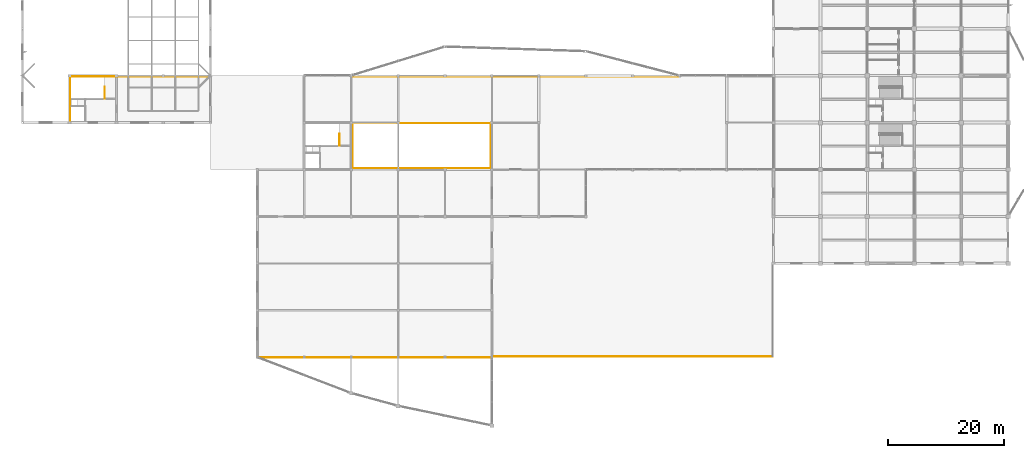
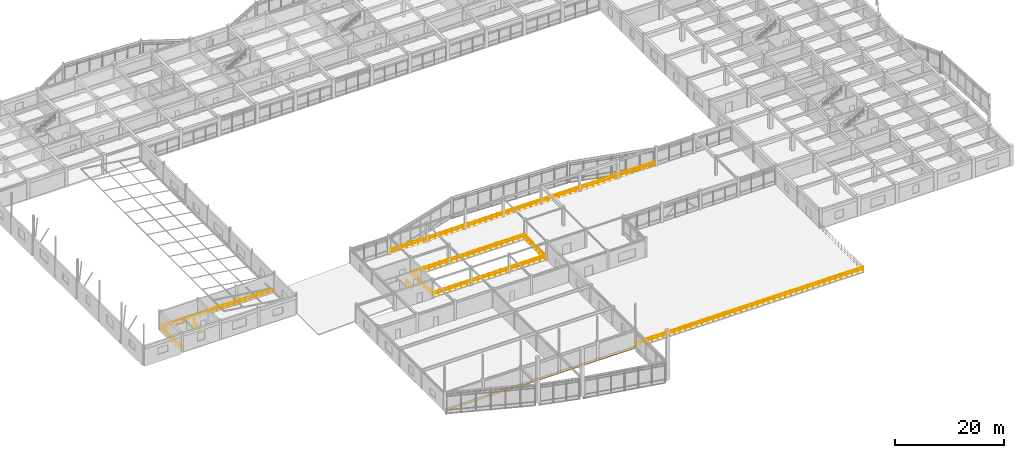
# One storey, part 82 of 89: 8 railings, 2 coverings.
"""IFC4 building model written with IfcOpenShell, lengths in metres."""

from ifc_helpers import new_model, si_unit, direction, frame, origin, origin_2d, place, context, subcontext, project, spatial, rectangle, circle, extrude, material, layer, layer_set, type_object, element, save


model = new_model("IFC4")

# Units and contexts
model_context = context("Model", 3, precision=1e-05, world=origin(), true_north=direction((0.0, 1.0)))
body_context = subcontext(model_context, "Body", "Model", "MODEL_VIEW")
ifc_project = project(units=[si_unit("LENGTHUNIT", "METRE"), si_unit("AREAUNIT", "SQUARE_METRE"), si_unit("VOLUMEUNIT", "CUBIC_METRE"), si_unit("PLANEANGLEUNIT", "RADIAN"), si_unit("MASSUNIT", "GRAM", prefix="KILO")], contexts=[model_context])

# Site, building, storey
site_placement = place(None, origin())
site = spatial("IfcSite", under=ifc_project, at=site_placement, CompositionType="ELEMENT")
building_placement = place(site_placement, origin())
building = spatial("IfcBuilding", under=site, at=building_placement, Name="Vaudrelin Polytechnic", CompositionType="ELEMENT")
storey_placement = place(building_placement, frame((0.0, 0.0, 9.68994140625)))
storey = spatial("IfcBuildingStorey", under=building, at=storey_placement, Name="L02", CompositionType="ELEMENT", Elevation=9.68994140625)

# Coverings
ifc_material_1 = material(Name="Pre-weathered quartz-zinc standing seam", Category="metal")
ifc_layer = layer(ifc_material_1, 0.044921875)
ifc_layer_set = layer_set([ifc_layer], Name="Pre-weathered quartz-zinc standing seam")
covering_type = type_object("IfcCoveringType", Name="ENV-CLD-ZNC", PredefinedType="CLADDING", material=ifc_layer_set)
covering_1_placement = place(storey_placement, frame((48.64990234375, -0.02001953125, -0.125), z_axis=(0.0, 0.0, 1.0), x_axis=(1.0, 0.0, 0.0)))
element("IfcCovering", 1, at=covering_1_placement, inside=storey, type_object=covering_type, Name="Standing-seam zinc fascia cladding CLD-03", PredefinedType="CLADDING", context=body_context, shape_type="SweptSolid", body=[
    extrude(rectangle(XDim=16.10009765625, YDim=0.044921875, at=origin_2d()), origin(), (0.0, 0.0, 1.0), 0.550048828125),
])
covering_2_placement = place(storey_placement, frame((68.85009765625, -0.02001953125, -0.125), z_axis=(0.0, 0.0, 1.0), x_axis=(1.0, 0.0, 0.0)))
element("IfcCovering", 2, at=covering_2_placement, inside=storey, type_object=covering_type, Name="Standing-seam zinc fascia cladding CLD-04", PredefinedType="CLADDING", context=body_context, shape_type="SweptSolid", body=[
    extrude(rectangle(XDim=24.300048828125, YDim=0.044921875, at=origin_2d()), origin(), (0.0, 0.0, 1.0), 0.550048828125),
])

# Railings
ifc_material_2 = material(Name="Stainless steel AISI 316L", Category="steel")
railing_type_1 = type_object("IfcRailingType", Name="ENV-GR-TER", PredefinedType="GUARDRAIL", material=ifc_material_2)
railing_1_placement = place(storey_placement, frame((81.1201171875, 0.1201171875, 0.0)))
element("IfcRailing", 3, at=railing_1_placement, inside=storey, type_object=railing_type_1, Name="Terrace guardrail GRD-RG-S", PredefinedType="GUARDRAIL", context=body_context, shape_type="SweptSolid", body=[
    extrude(circle(Radius=0.02392578125, at=origin_2d()), frame((0.023193359375, 0.0, 1.09619140625), z_axis=(1.0, 0.0, 0.0), x_axis=(0.0, 1.0, 0.0)), (0.0, 0.0, 1.0), 48.313720703125),
    extrude(circle(Radius=0.02392578125, at=origin_2d()), frame((0.023193359375, 0.0, 0.56005859375), z_axis=(1.0, 0.0, 0.0), x_axis=(0.0, 1.0, 0.0)), (0.0, 0.0, 1.0), 48.313720703125),
    extrude(circle(Radius=0.02099609375, at=origin_2d()), origin(), (0.0, 0.0, 1.0), 1.1201171875),
    extrude(circle(Radius=0.02099609375, at=origin_2d()), frame((1.179443359375, 0.0, 0.0)), (0.0, 0.0, 1.0), 1.1201171875),
    extrude(circle(Radius=0.02099609375, at=origin_2d()), frame((2.359130859375, 0.0, 0.0)), (0.0, 0.0, 1.0), 1.1201171875),
    extrude(circle(Radius=0.02099609375, at=origin_2d()), frame((3.53857421875, 0.0, 0.0)), (0.0, 0.0, 1.0), 1.1201171875),
    extrude(circle(Radius=0.02099609375, at=origin_2d()), frame((4.718017578125, 0.0, 0.0)), (0.0, 0.0, 1.0), 1.1201171875),
    extrude(circle(Radius=0.02099609375, at=origin_2d()), frame((5.8974609375, 0.0, 0.0)), (0.0, 0.0, 1.0), 1.1201171875),
    extrude(circle(Radius=0.02099609375, at=origin_2d()), frame((7.0771484375, 0.0, 0.0)), (0.0, 0.0, 1.0), 1.1201171875),
    extrude(circle(Radius=0.02099609375, at=origin_2d()), frame((8.256591796875, 0.0, 0.0)), (0.0, 0.0, 1.0), 1.1201171875),
    extrude(circle(Radius=0.02099609375, at=origin_2d()), frame((9.43603515625, 0.0, 0.0)), (0.0, 0.0, 1.0), 1.1201171875),
    extrude(circle(Radius=0.02099609375, at=origin_2d()), frame((10.615478515625, 0.0, 0.0)), (0.0, 0.0, 1.0), 1.1201171875),
    extrude(circle(Radius=0.02099609375, at=origin_2d()), frame((11.795166015625, 0.0, 0.0)), (0.0, 0.0, 1.0), 1.1201171875),
    extrude(circle(Radius=0.02099609375, at=origin_2d()), frame((12.974609375, 0.0, 0.0)), (0.0, 0.0, 1.0), 1.1201171875),
    extrude(circle(Radius=0.02099609375, at=origin_2d()), frame((14.154052734375, 0.0, 0.0)), (0.0, 0.0, 1.0), 1.1201171875),
    extrude(circle(Radius=0.02099609375, at=origin_2d()), frame((15.33349609375, 0.0, 0.0)), (0.0, 0.0, 1.0), 1.1201171875),
    extrude(circle(Radius=0.02099609375, at=origin_2d()), frame((16.51318359375, 0.0, 0.0)), (0.0, 0.0, 1.0), 1.1201171875),
    extrude(circle(Radius=0.02099609375, at=origin_2d()), frame((17.692626953125, 0.0, 0.0)), (0.0, 0.0, 1.0), 1.1201171875),
    extrude(circle(Radius=0.02099609375, at=origin_2d()), frame((18.8720703125, 0.0, 0.0)), (0.0, 0.0, 1.0), 1.1201171875),
    extrude(circle(Radius=0.02099609375, at=origin_2d()), frame((20.0517578125, 0.0, 0.0)), (0.0, 0.0, 1.0), 1.1201171875),
    extrude(circle(Radius=0.02099609375, at=origin_2d()), frame((21.231201171875, 0.0, 0.0)), (0.0, 0.0, 1.0), 1.1201171875),
    extrude(circle(Radius=0.02099609375, at=origin_2d()), frame((22.41064453125, 0.0, 0.0)), (0.0, 0.0, 1.0), 1.1201171875),
    extrude(circle(Radius=0.02099609375, at=origin_2d()), frame((23.590087890625, 0.0, 0.0)), (0.0, 0.0, 1.0), 1.1201171875),
    extrude(circle(Radius=0.02099609375, at=origin_2d()), frame((24.769775390625, 0.0, 0.0)), (0.0, 0.0, 1.0), 1.1201171875),
    extrude(circle(Radius=0.02099609375, at=origin_2d()), frame((25.94921875, 0.0, 0.0)), (0.0, 0.0, 1.0), 1.1201171875),
    extrude(circle(Radius=0.02099609375, at=origin_2d()), frame((27.128662109375, 0.0, 0.0)), (0.0, 0.0, 1.0), 1.1201171875),
    extrude(circle(Radius=0.02099609375, at=origin_2d()), frame((28.30810546875, 0.0, 0.0)), (0.0, 0.0, 1.0), 1.1201171875),
    extrude(circle(Radius=0.02099609375, at=origin_2d()), frame((29.48779296875, 0.0, 0.0)), (0.0, 0.0, 1.0), 1.1201171875),
    extrude(circle(Radius=0.02099609375, at=origin_2d()), frame((30.667236328125, 0.0, 0.0)), (0.0, 0.0, 1.0), 1.1201171875),
    extrude(circle(Radius=0.02099609375, at=origin_2d()), frame((31.8466796875, 0.0, 0.0)), (0.0, 0.0, 1.0), 1.1201171875),
    extrude(circle(Radius=0.02099609375, at=origin_2d()), frame((33.0263671875, 0.0, 0.0)), (0.0, 0.0, 1.0), 1.1201171875),
    extrude(circle(Radius=0.02099609375, at=origin_2d()), frame((34.205810546875, 0.0, 0.0)), (0.0, 0.0, 1.0), 1.1201171875),
    extrude(circle(Radius=0.02099609375, at=origin_2d()), frame((35.38525390625, 0.0, 0.0)), (0.0, 0.0, 1.0), 1.1201171875),
    extrude(circle(Radius=0.02099609375, at=origin_2d()), frame((36.564697265625, 0.0, 0.0)), (0.0, 0.0, 1.0), 1.1201171875),
    extrude(circle(Radius=0.02099609375, at=origin_2d()), frame((37.744384765625, 0.0, 0.0)), (0.0, 0.0, 1.0), 1.1201171875),
    extrude(circle(Radius=0.02099609375, at=origin_2d()), frame((38.923828125, 0.0, 0.0)), (0.0, 0.0, 1.0), 1.1201171875),
    extrude(circle(Radius=0.02099609375, at=origin_2d()), frame((40.103271484375, 0.0, 0.0)), (0.0, 0.0, 1.0), 1.1201171875),
    extrude(circle(Radius=0.02099609375, at=origin_2d()), frame((41.28271484375, 0.0, 0.0)), (0.0, 0.0, 1.0), 1.1201171875),
    extrude(circle(Radius=0.02099609375, at=origin_2d()), frame((42.46240234375, 0.0, 0.0)), (0.0, 0.0, 1.0), 1.1201171875),
    extrude(circle(Radius=0.02099609375, at=origin_2d()), frame((43.641845703125, 0.0, 0.0)), (0.0, 0.0, 1.0), 1.1201171875),
    extrude(circle(Radius=0.02099609375, at=origin_2d()), frame((44.8212890625, 0.0, 0.0)), (0.0, 0.0, 1.0), 1.1201171875),
    extrude(circle(Radius=0.02099609375, at=origin_2d()), frame((46.000732421875, 0.0, 0.0)), (0.0, 0.0, 1.0), 1.1201171875),
    extrude(circle(Radius=0.02099609375, at=origin_2d()), frame((47.180419921875, 0.0, 0.0)), (0.0, 0.0, 1.0), 1.1201171875),
    extrude(circle(Radius=0.02099609375, at=origin_2d()), frame((48.35986328125, 0.0, 0.0)), (0.0, 0.0, 1.0), 1.1201171875),
])
ifc_material_3 = material(Name="Brushed stainless steel AISI 304", Category="steel")
railing_type_2 = type_object("IfcRailingType", Name="RAL-GR-INT", PredefinedType="GUARDRAIL", material=ifc_material_3)
railing_2_placement = place(storey_placement, frame((14.179931640625, 44.610107421875, 0.0)))
element("IfcRailing", 4, at=railing_2_placement, inside=storey, type_object=railing_type_2, Name="ST-03-L01 upper well guardrail", PredefinedType="GUARDRAIL", context=body_context, shape_type="SweptSolid", body=[
    extrude(circle(Radius=0.02392578125, at=origin_2d()), frame((0.0, 0.023193359375, 1.09619140625), z_axis=(0.0, 1.0, 0.0), x_axis=(-1.0, 0.0, 0.0)), (0.0, 0.0, 1.0), 2.023681640625),
    extrude(circle(Radius=0.02392578125, at=origin_2d()), frame((0.0, 0.023193359375, 0.56005859375), z_axis=(0.0, 1.0, 0.0), x_axis=(-1.0, 0.0, 0.0)), (0.0, 0.0, 1.0), 2.023681640625),
    extrude(circle(Radius=0.02099609375, at=origin_2d()), origin(), (0.0, 0.0, 1.0), 1.1201171875),
    extrude(circle(Radius=0.02099609375, at=origin_2d()), frame((0.0, 1.034912109375, 0.0)), (0.0, 0.0, 1.0), 1.1201171875),
    extrude(circle(Radius=0.02099609375, at=origin_2d()), frame((0.0, 2.06982421875, 0.0)), (0.0, 0.0, 1.0), 1.1201171875),
])
railing_3_placement = place(storey_placement, frame((54.679931640625, 36.510009765625, 0.0)))
element("IfcRailing", 5, at=railing_3_placement, inside=storey, type_object=railing_type_2, Name="ST-04-L01 upper well guardrail", PredefinedType="GUARDRAIL", context=body_context, shape_type="SweptSolid", body=[
    extrude(circle(Radius=0.02392578125, at=origin_2d()), frame((0.0, 0.023193359375, 1.09619140625), z_axis=(0.0, 1.0, 0.0), x_axis=(-1.0, 0.0, 0.0)), (0.0, 0.0, 1.0), 2.02392578125),
    extrude(circle(Radius=0.02392578125, at=origin_2d()), frame((0.0, 0.023193359375, 0.56005859375), z_axis=(0.0, 1.0, 0.0), x_axis=(-1.0, 0.0, 0.0)), (0.0, 0.0, 1.0), 2.02392578125),
    extrude(circle(Radius=0.02099609375, at=origin_2d()), origin(), (0.0, 0.0, 1.0), 1.1201171875),
    extrude(circle(Radius=0.02099609375, at=origin_2d()), frame((0.0, 1.03515625, 0.0)), (0.0, 0.0, 1.0), 1.1201171875),
    extrude(circle(Radius=0.02099609375, at=origin_2d()), frame((0.0, 2.070068359375, 0.0)), (0.0, 0.0, 1.0), 1.1201171875),
])
railing_4_placement = place(storey_placement, frame((80.780029296875, 32.6201171875, 0.0)))
element("IfcRailing", 6, at=railing_4_placement, inside=storey, type_object=railing_type_2, Name="Interior atrium guardrail L02 SW", PredefinedType="GUARDRAIL", context=body_context, shape_type="SweptSolid", body=[
    extrude(circle(Radius=0.02392578125, at=origin_2d()), frame((-0.023193359375, 0.0, 1.09619140625), z_axis=(-1.0, 0.0, 0.0), x_axis=(0.0, -1.0, 0.0)), (0.0, 0.0, 1.0), 23.81396484375),
    extrude(circle(Radius=0.02392578125, at=origin_2d()), frame((-0.023193359375, 0.0, 0.56005859375), z_axis=(-1.0, 0.0, 0.0), x_axis=(0.0, -1.0, 0.0)), (0.0, 0.0, 1.0), 23.81396484375),
    extrude(circle(Radius=0.02392578125, at=origin_2d()), frame((-23.860107421875, 0.023193359375, 1.09619140625), z_axis=(0.0, 1.0, 0.0), x_axis=(-1.0, 0.0, 0.0)), (0.0, 0.0, 1.0), 7.713623046875),
    extrude(circle(Radius=0.02392578125, at=origin_2d()), frame((-23.860107421875, 0.023193359375, 0.56005859375), z_axis=(0.0, 1.0, 0.0), x_axis=(-1.0, 0.0, 0.0)), (0.0, 0.0, 1.0), 7.713623046875),
    extrude(circle(Radius=0.02099609375, at=origin_2d()), origin(), (0.0, 0.0, 1.0), 1.1201171875),
    extrude(circle(Radius=0.02099609375, at=origin_2d()), frame((-1.193115234375, 0.0, 0.0)), (0.0, 0.0, 1.0), 1.1201171875),
    extrude(circle(Radius=0.02099609375, at=origin_2d()), frame((-2.385986328125, 0.0, 0.0)), (0.0, 0.0, 1.0), 1.1201171875),
    extrude(circle(Radius=0.02099609375, at=origin_2d()), frame((-3.5791015625, 0.0, 0.0)), (0.0, 0.0, 1.0), 1.1201171875),
    extrude(circle(Radius=0.02099609375, at=origin_2d()), frame((-4.77197265625, 0.0, 0.0)), (0.0, 0.0, 1.0), 1.1201171875),
    extrude(circle(Radius=0.02099609375, at=origin_2d()), frame((-5.965087890625, 0.0, 0.0)), (0.0, 0.0, 1.0), 1.1201171875),
    extrude(circle(Radius=0.02099609375, at=origin_2d()), frame((-7.157958984375, 0.0, 0.0)), (0.0, 0.0, 1.0), 1.1201171875),
    extrude(circle(Radius=0.02099609375, at=origin_2d()), frame((-8.35107421875, 0.0, 0.0)), (0.0, 0.0, 1.0), 1.1201171875),
    extrude(circle(Radius=0.02099609375, at=origin_2d()), frame((-9.5439453125, 0.0, 0.0)), (0.0, 0.0, 1.0), 1.1201171875),
    extrude(circle(Radius=0.02099609375, at=origin_2d()), frame((-10.737060546875, 0.0, 0.0)), (0.0, 0.0, 1.0), 1.1201171875),
    extrude(circle(Radius=0.02099609375, at=origin_2d()), frame((-11.93017578125, 0.0, 0.0)), (0.0, 0.0, 1.0), 1.1201171875),
    extrude(circle(Radius=0.02099609375, at=origin_2d()), frame((-13.123046875, 0.0, 0.0)), (0.0, 0.0, 1.0), 1.1201171875),
    extrude(circle(Radius=0.02099609375, at=origin_2d()), frame((-14.316162109375, 0.0, 0.0)), (0.0, 0.0, 1.0), 1.1201171875),
    extrude(circle(Radius=0.02099609375, at=origin_2d()), frame((-15.509033203125, 0.0, 0.0)), (0.0, 0.0, 1.0), 1.1201171875),
    extrude(circle(Radius=0.02099609375, at=origin_2d()), frame((-16.7021484375, 0.0, 0.0)), (0.0, 0.0, 1.0), 1.1201171875),
    extrude(circle(Radius=0.02099609375, at=origin_2d()), frame((-17.89501953125, 0.0, 0.0)), (0.0, 0.0, 1.0), 1.1201171875),
    extrude(circle(Radius=0.02099609375, at=origin_2d()), frame((-19.088134765625, 0.0, 0.0)), (0.0, 0.0, 1.0), 1.1201171875),
    extrude(circle(Radius=0.02099609375, at=origin_2d()), frame((-20.281005859375, 0.0, 0.0)), (0.0, 0.0, 1.0), 1.1201171875),
    extrude(circle(Radius=0.02099609375, at=origin_2d()), frame((-21.47412109375, 0.0, 0.0)), (0.0, 0.0, 1.0), 1.1201171875),
    extrude(circle(Radius=0.02099609375, at=origin_2d()), frame((-22.6669921875, 0.0, 0.0)), (0.0, 0.0, 1.0), 1.1201171875),
    extrude(circle(Radius=0.02099609375, at=origin_2d()), frame((-23.860107421875, 0.0, 0.0)), (0.0, 0.0, 1.0), 1.1201171875),
    extrude(circle(Radius=0.02099609375, at=origin_2d()), frame((-23.860107421875, 1.108642578125, 0.0)), (0.0, 0.0, 1.0), 1.1201171875),
    extrude(circle(Radius=0.02099609375, at=origin_2d()), frame((-23.860107421875, 2.217041015625, 0.0)), (0.0, 0.0, 1.0), 1.1201171875),
    extrude(circle(Radius=0.02099609375, at=origin_2d()), frame((-23.860107421875, 3.32568359375, 0.0)), (0.0, 0.0, 1.0), 1.1201171875),
    extrude(circle(Radius=0.02099609375, at=origin_2d()), frame((-23.860107421875, 4.43408203125, 0.0)), (0.0, 0.0, 1.0), 1.1201171875),
    extrude(circle(Radius=0.02099609375, at=origin_2d()), frame((-23.860107421875, 5.542724609375, 0.0)), (0.0, 0.0, 1.0), 1.1201171875),
    extrude(circle(Radius=0.02099609375, at=origin_2d()), frame((-23.860107421875, 6.651123046875, 0.0)), (0.0, 0.0, 1.0), 1.1201171875),
    extrude(circle(Radius=0.02099609375, at=origin_2d()), frame((-23.860107421875, 7.759765625, 0.0)), (0.0, 0.0, 1.0), 1.1201171875),
])
railing_5_placement = place(storey_placement, frame((57.0400390625, 40.3798828125, 0.0)))
element("IfcRailing", 7, at=railing_5_placement, inside=storey, type_object=railing_type_2, Name="Interior atrium guardrail L02 NE", PredefinedType="GUARDRAIL", context=body_context, shape_type="SweptSolid", body=[
    extrude(circle(Radius=0.02392578125, at=origin_2d()), frame((0.023193359375, 0.0, 1.09619140625), z_axis=(1.0, 0.0, 0.0), x_axis=(0.0, 1.0, 0.0)), (0.0, 0.0, 1.0), 23.69384765625),
    extrude(circle(Radius=0.02392578125, at=origin_2d()), frame((0.023193359375, 0.0, 0.56005859375), z_axis=(1.0, 0.0, 0.0), x_axis=(0.0, 1.0, 0.0)), (0.0, 0.0, 1.0), 23.69384765625),
    extrude(circle(Radius=0.02392578125, at=origin_2d()), frame((23.739990234375, -0.023193359375, 1.09619140625), z_axis=(0.0, -1.0, 0.0), x_axis=(1.0, 0.0, 0.0)), (0.0, 0.0, 1.0), 7.59375),
    extrude(circle(Radius=0.02392578125, at=origin_2d()), frame((23.739990234375, -0.023193359375, 0.56005859375), z_axis=(0.0, -1.0, 0.0), x_axis=(1.0, 0.0, 0.0)), (0.0, 0.0, 1.0), 7.59375),
    extrude(circle(Radius=0.02099609375, at=origin_2d()), origin(), (0.0, 0.0, 1.0), 1.1201171875),
    extrude(circle(Radius=0.02099609375, at=origin_2d()), frame((1.18701171875, 0.0, 0.0)), (0.0, 0.0, 1.0), 1.1201171875),
    extrude(circle(Radius=0.02099609375, at=origin_2d()), frame((2.3740234375, 0.0, 0.0)), (0.0, 0.0, 1.0), 1.1201171875),
    extrude(circle(Radius=0.02099609375, at=origin_2d()), frame((3.56103515625, 0.0, 0.0)), (0.0, 0.0, 1.0), 1.1201171875),
    extrude(circle(Radius=0.02099609375, at=origin_2d()), frame((4.748046875, 0.0, 0.0)), (0.0, 0.0, 1.0), 1.1201171875),
    extrude(circle(Radius=0.02099609375, at=origin_2d()), frame((5.93505859375, 0.0, 0.0)), (0.0, 0.0, 1.0), 1.1201171875),
    extrude(circle(Radius=0.02099609375, at=origin_2d()), frame((7.1220703125, 0.0, 0.0)), (0.0, 0.0, 1.0), 1.1201171875),
    extrude(circle(Radius=0.02099609375, at=origin_2d()), frame((8.30908203125, 0.0, 0.0)), (0.0, 0.0, 1.0), 1.1201171875),
    extrude(circle(Radius=0.02099609375, at=origin_2d()), frame((9.49609375, 0.0, 0.0)), (0.0, 0.0, 1.0), 1.1201171875),
    extrude(circle(Radius=0.02099609375, at=origin_2d()), frame((10.68310546875, 0.0, 0.0)), (0.0, 0.0, 1.0), 1.1201171875),
    extrude(circle(Radius=0.02099609375, at=origin_2d()), frame((11.8701171875, 0.0, 0.0)), (0.0, 0.0, 1.0), 1.1201171875),
    extrude(circle(Radius=0.02099609375, at=origin_2d()), frame((13.056884765625, 0.0, 0.0)), (0.0, 0.0, 1.0), 1.1201171875),
    extrude(circle(Radius=0.02099609375, at=origin_2d()), frame((14.243896484375, 0.0, 0.0)), (0.0, 0.0, 1.0), 1.1201171875),
    extrude(circle(Radius=0.02099609375, at=origin_2d()), frame((15.430908203125, 0.0, 0.0)), (0.0, 0.0, 1.0), 1.1201171875),
    extrude(circle(Radius=0.02099609375, at=origin_2d()), frame((16.617919921875, 0.0, 0.0)), (0.0, 0.0, 1.0), 1.1201171875),
    extrude(circle(Radius=0.02099609375, at=origin_2d()), frame((17.804931640625, 0.0, 0.0)), (0.0, 0.0, 1.0), 1.1201171875),
    extrude(circle(Radius=0.02099609375, at=origin_2d()), frame((18.991943359375, 0.0, 0.0)), (0.0, 0.0, 1.0), 1.1201171875),
    extrude(circle(Radius=0.02099609375, at=origin_2d()), frame((20.178955078125, 0.0, 0.0)), (0.0, 0.0, 1.0), 1.1201171875),
    extrude(circle(Radius=0.02099609375, at=origin_2d()), frame((21.365966796875, 0.0, 0.0)), (0.0, 0.0, 1.0), 1.1201171875),
    extrude(circle(Radius=0.02099609375, at=origin_2d()), frame((22.552978515625, 0.0, 0.0)), (0.0, 0.0, 1.0), 1.1201171875),
    extrude(circle(Radius=0.02099609375, at=origin_2d()), frame((23.739990234375, 0.0, 0.0)), (0.0, 0.0, 1.0), 1.1201171875),
    extrude(circle(Radius=0.02099609375, at=origin_2d()), frame((23.739990234375, -1.09130859375, 0.0)), (0.0, 0.0, 1.0), 1.1201171875),
    extrude(circle(Radius=0.02099609375, at=origin_2d()), frame((23.739990234375, -2.182861328125, 0.0)), (0.0, 0.0, 1.0), 1.1201171875),
    extrude(circle(Radius=0.02099609375, at=origin_2d()), frame((23.739990234375, -3.274169921875, 0.0)), (0.0, 0.0, 1.0), 1.1201171875),
    extrude(circle(Radius=0.02099609375, at=origin_2d()), frame((23.739990234375, -4.36572265625, 0.0)), (0.0, 0.0, 1.0), 1.1201171875),
    extrude(circle(Radius=0.02099609375, at=origin_2d()), frame((23.739990234375, -5.45703125, 0.0)), (0.0, 0.0, 1.0), 1.1201171875),
    extrude(circle(Radius=0.02099609375, at=origin_2d()), frame((23.739990234375, -6.548583984375, 0.0)), (0.0, 0.0, 1.0), 1.1201171875),
    extrude(circle(Radius=0.02099609375, at=origin_2d()), frame((23.739990234375, -7.639892578125, 0.0)), (0.0, 0.0, 1.0), 1.1201171875),
])
railing_6_placement = place(storey_placement, frame((56.949951171875, 48.47998046875, 0.0)))
element("IfcRailing", 8, at=railing_6_placement, inside=storey, type_object=railing_type_2, Name="Courtyard exhibition pod upper gallery guardrail L02", PredefinedType="GUARDRAIL", context=body_context, shape_type="SweptSolid", body=[
    extrude(circle(Radius=0.02392578125, at=origin_2d()), frame((0.023193359375, 0.0, 1.09619140625), z_axis=(1.0, 0.0, 0.0), x_axis=(0.0, 1.0, 0.0)), (0.0, 0.0, 1.0), 56.15380859375),
    extrude(circle(Radius=0.02392578125, at=origin_2d()), frame((0.023193359375, 0.0, 0.56005859375), z_axis=(1.0, 0.0, 0.0), x_axis=(0.0, 1.0, 0.0)), (0.0, 0.0, 1.0), 56.15380859375),
    extrude(circle(Radius=0.02099609375, at=origin_2d()), origin(), (0.0, 0.0, 1.0), 1.1201171875),
    extrude(circle(Radius=0.02099609375, at=origin_2d()), frame((1.19580078125, 0.0, 0.0)), (0.0, 0.0, 1.0), 1.1201171875),
    extrude(circle(Radius=0.02099609375, at=origin_2d()), frame((2.3916015625, 0.0, 0.0)), (0.0, 0.0, 1.0), 1.1201171875),
    extrude(circle(Radius=0.02099609375, at=origin_2d()), frame((3.587158203125, 0.0, 0.0)), (0.0, 0.0, 1.0), 1.1201171875),
    extrude(circle(Radius=0.02099609375, at=origin_2d()), frame((4.782958984375, 0.0, 0.0)), (0.0, 0.0, 1.0), 1.1201171875),
    extrude(circle(Radius=0.02099609375, at=origin_2d()), frame((5.978759765625, 0.0, 0.0)), (0.0, 0.0, 1.0), 1.1201171875),
    extrude(circle(Radius=0.02099609375, at=origin_2d()), frame((7.174560546875, 0.0, 0.0)), (0.0, 0.0, 1.0), 1.1201171875),
    extrude(circle(Radius=0.02099609375, at=origin_2d()), frame((8.3701171875, 0.0, 0.0)), (0.0, 0.0, 1.0), 1.1201171875),
    extrude(circle(Radius=0.02099609375, at=origin_2d()), frame((9.56591796875, 0.0, 0.0)), (0.0, 0.0, 1.0), 1.1201171875),
    extrude(circle(Radius=0.02099609375, at=origin_2d()), frame((10.76171875, 0.0, 0.0)), (0.0, 0.0, 1.0), 1.1201171875),
    extrude(circle(Radius=0.02099609375, at=origin_2d()), frame((11.95751953125, 0.0, 0.0)), (0.0, 0.0, 1.0), 1.1201171875),
    extrude(circle(Radius=0.02099609375, at=origin_2d()), frame((13.153076171875, 0.0, 0.0)), (0.0, 0.0, 1.0), 1.1201171875),
    extrude(circle(Radius=0.02099609375, at=origin_2d()), frame((14.348876953125, 0.0, 0.0)), (0.0, 0.0, 1.0), 1.1201171875),
    extrude(circle(Radius=0.02099609375, at=origin_2d()), frame((15.544677734375, 0.0, 0.0)), (0.0, 0.0, 1.0), 1.1201171875),
    extrude(circle(Radius=0.02099609375, at=origin_2d()), frame((16.740478515625, 0.0, 0.0)), (0.0, 0.0, 1.0), 1.1201171875),
    extrude(circle(Radius=0.02099609375, at=origin_2d()), frame((17.93603515625, 0.0, 0.0)), (0.0, 0.0, 1.0), 1.1201171875),
    extrude(circle(Radius=0.02099609375, at=origin_2d()), frame((19.1318359375, 0.0, 0.0)), (0.0, 0.0, 1.0), 1.1201171875),
    extrude(circle(Radius=0.02099609375, at=origin_2d()), frame((20.32763671875, 0.0, 0.0)), (0.0, 0.0, 1.0), 1.1201171875),
    extrude(circle(Radius=0.02099609375, at=origin_2d()), frame((21.5234375, 0.0, 0.0)), (0.0, 0.0, 1.0), 1.1201171875),
    extrude(circle(Radius=0.02099609375, at=origin_2d()), frame((22.71923828125, 0.0, 0.0)), (0.0, 0.0, 1.0), 1.1201171875),
    extrude(circle(Radius=0.02099609375, at=origin_2d()), frame((23.914794921875, 0.0, 0.0)), (0.0, 0.0, 1.0), 1.1201171875),
    extrude(circle(Radius=0.02099609375, at=origin_2d()), frame((25.110595703125, 0.0, 0.0)), (0.0, 0.0, 1.0), 1.1201171875),
    extrude(circle(Radius=0.02099609375, at=origin_2d()), frame((26.306396484375, 0.0, 0.0)), (0.0, 0.0, 1.0), 1.1201171875),
    extrude(circle(Radius=0.02099609375, at=origin_2d()), frame((27.502197265625, 0.0, 0.0)), (0.0, 0.0, 1.0), 1.1201171875),
    extrude(circle(Radius=0.02099609375, at=origin_2d()), frame((28.69775390625, 0.0, 0.0)), (0.0, 0.0, 1.0), 1.1201171875),
    extrude(circle(Radius=0.02099609375, at=origin_2d()), frame((29.8935546875, 0.0, 0.0)), (0.0, 0.0, 1.0), 1.1201171875),
    extrude(circle(Radius=0.02099609375, at=origin_2d()), frame((31.08935546875, 0.0, 0.0)), (0.0, 0.0, 1.0), 1.1201171875),
    extrude(circle(Radius=0.02099609375, at=origin_2d()), frame((32.28515625, 0.0, 0.0)), (0.0, 0.0, 1.0), 1.1201171875),
    extrude(circle(Radius=0.02099609375, at=origin_2d()), frame((33.480712890625, 0.0, 0.0)), (0.0, 0.0, 1.0), 1.1201171875),
    extrude(circle(Radius=0.02099609375, at=origin_2d()), frame((34.676513671875, 0.0, 0.0)), (0.0, 0.0, 1.0), 1.1201171875),
    extrude(circle(Radius=0.02099609375, at=origin_2d()), frame((35.872314453125, 0.0, 0.0)), (0.0, 0.0, 1.0), 1.1201171875),
    extrude(circle(Radius=0.02099609375, at=origin_2d()), frame((37.068115234375, 0.0, 0.0)), (0.0, 0.0, 1.0), 1.1201171875),
    extrude(circle(Radius=0.02099609375, at=origin_2d()), frame((38.263916015625, 0.0, 0.0)), (0.0, 0.0, 1.0), 1.1201171875),
    extrude(circle(Radius=0.02099609375, at=origin_2d()), frame((39.45947265625, 0.0, 0.0)), (0.0, 0.0, 1.0), 1.1201171875),
    extrude(circle(Radius=0.02099609375, at=origin_2d()), frame((40.6552734375, 0.0, 0.0)), (0.0, 0.0, 1.0), 1.1201171875),
    extrude(circle(Radius=0.02099609375, at=origin_2d()), frame((41.85107421875, 0.0, 0.0)), (0.0, 0.0, 1.0), 1.1201171875),
    extrude(circle(Radius=0.02099609375, at=origin_2d()), frame((43.046875, 0.0, 0.0)), (0.0, 0.0, 1.0), 1.1201171875),
    extrude(circle(Radius=0.02099609375, at=origin_2d()), frame((44.242431640625, 0.0, 0.0)), (0.0, 0.0, 1.0), 1.1201171875),
    extrude(circle(Radius=0.02099609375, at=origin_2d()), frame((45.438232421875, 0.0, 0.0)), (0.0, 0.0, 1.0), 1.1201171875),
    extrude(circle(Radius=0.02099609375, at=origin_2d()), frame((46.634033203125, 0.0, 0.0)), (0.0, 0.0, 1.0), 1.1201171875),
    extrude(circle(Radius=0.02099609375, at=origin_2d()), frame((47.829833984375, 0.0, 0.0)), (0.0, 0.0, 1.0), 1.1201171875),
    extrude(circle(Radius=0.02099609375, at=origin_2d()), frame((49.025390625, 0.0, 0.0)), (0.0, 0.0, 1.0), 1.1201171875),
    extrude(circle(Radius=0.02099609375, at=origin_2d()), frame((50.22119140625, 0.0, 0.0)), (0.0, 0.0, 1.0), 1.1201171875),
    extrude(circle(Radius=0.02099609375, at=origin_2d()), frame((51.4169921875, 0.0, 0.0)), (0.0, 0.0, 1.0), 1.1201171875),
    extrude(circle(Radius=0.02099609375, at=origin_2d()), frame((52.61279296875, 0.0, 0.0)), (0.0, 0.0, 1.0), 1.1201171875),
    extrude(circle(Radius=0.02099609375, at=origin_2d()), frame((53.808349609375, 0.0, 0.0)), (0.0, 0.0, 1.0), 1.1201171875),
    extrude(circle(Radius=0.02099609375, at=origin_2d()), frame((55.004150390625, 0.0, 0.0)), (0.0, 0.0, 1.0), 1.1201171875),
    extrude(circle(Radius=0.02099609375, at=origin_2d()), frame((56.199951171875, 0.0, 0.0)), (0.0, 0.0, 1.0), 1.1201171875),
])
railing_7_placement = place(storey_placement, frame((8.219970703125, 48.47998046875, 0.0)))
element("IfcRailing", 9, at=railing_7_placement, inside=storey, type_object=railing_type_2, Name="Workshop L02 catwalk north guardrail", PredefinedType="GUARDRAIL", context=body_context, shape_type="SweptSolid", body=[
    extrude(circle(Radius=0.02392578125, at=origin_2d()), frame((0.023193359375, 0.0, 1.09619140625), z_axis=(1.0, 0.0, 0.0), x_axis=(0.0, 1.0, 0.0)), (0.0, 0.0, 1.0), 23.8837890625),
    extrude(circle(Radius=0.02392578125, at=origin_2d()), frame((0.023193359375, 0.0, 0.56005859375), z_axis=(1.0, 0.0, 0.0), x_axis=(0.0, 1.0, 0.0)), (0.0, 0.0, 1.0), 23.8837890625),
    extrude(circle(Radius=0.02099609375, at=origin_2d()), origin(), (0.0, 0.0, 1.0), 1.1201171875),
    extrude(circle(Radius=0.02099609375, at=origin_2d()), frame((1.196533203125, 0.0, 0.0)), (0.0, 0.0, 1.0), 1.1201171875),
    extrude(circle(Radius=0.02099609375, at=origin_2d()), frame((2.39306640625, 0.0, 0.0)), (0.0, 0.0, 1.0), 1.1201171875),
    extrude(circle(Radius=0.02099609375, at=origin_2d()), frame((3.589599609375, 0.0, 0.0)), (0.0, 0.0, 1.0), 1.1201171875),
    extrude(circle(Radius=0.02099609375, at=origin_2d()), frame((4.785888671875, 0.0, 0.0)), (0.0, 0.0, 1.0), 1.1201171875),
    extrude(circle(Radius=0.02099609375, at=origin_2d()), frame((5.982421875, 0.0, 0.0)), (0.0, 0.0, 1.0), 1.1201171875),
    extrude(circle(Radius=0.02099609375, at=origin_2d()), frame((7.178955078125, 0.0, 0.0)), (0.0, 0.0, 1.0), 1.1201171875),
    extrude(circle(Radius=0.02099609375, at=origin_2d()), frame((8.37548828125, 0.0, 0.0)), (0.0, 0.0, 1.0), 1.1201171875),
    extrude(circle(Radius=0.02099609375, at=origin_2d()), frame((9.572021484375, 0.0, 0.0)), (0.0, 0.0, 1.0), 1.1201171875),
    extrude(circle(Radius=0.02099609375, at=origin_2d()), frame((10.7685546875, 0.0, 0.0)), (0.0, 0.0, 1.0), 1.1201171875),
    extrude(circle(Radius=0.02099609375, at=origin_2d()), frame((11.96484375, 0.0, 0.0)), (0.0, 0.0, 1.0), 1.1201171875),
    extrude(circle(Radius=0.02099609375, at=origin_2d()), frame((13.161376953125, 0.0, 0.0)), (0.0, 0.0, 1.0), 1.1201171875),
    extrude(circle(Radius=0.02099609375, at=origin_2d()), frame((14.35791015625, 0.0, 0.0)), (0.0, 0.0, 1.0), 1.1201171875),
    extrude(circle(Radius=0.02099609375, at=origin_2d()), frame((15.554443359375, 0.0, 0.0)), (0.0, 0.0, 1.0), 1.1201171875),
    extrude(circle(Radius=0.02099609375, at=origin_2d()), frame((16.7509765625, 0.0, 0.0)), (0.0, 0.0, 1.0), 1.1201171875),
    extrude(circle(Radius=0.02099609375, at=origin_2d()), frame((17.947509765625, 0.0, 0.0)), (0.0, 0.0, 1.0), 1.1201171875),
    extrude(circle(Radius=0.02099609375, at=origin_2d()), frame((19.14404296875, 0.0, 0.0)), (0.0, 0.0, 1.0), 1.1201171875),
    extrude(circle(Radius=0.02099609375, at=origin_2d()), frame((20.34033203125, 0.0, 0.0)), (0.0, 0.0, 1.0), 1.1201171875),
    extrude(circle(Radius=0.02099609375, at=origin_2d()), frame((21.536865234375, 0.0, 0.0)), (0.0, 0.0, 1.0), 1.1201171875),
    extrude(circle(Radius=0.02099609375, at=origin_2d()), frame((22.7333984375, 0.0, 0.0)), (0.0, 0.0, 1.0), 1.1201171875),
    extrude(circle(Radius=0.02099609375, at=origin_2d()), frame((23.929931640625, 0.0, 0.0)), (0.0, 0.0, 1.0), 1.1201171875),
])
railing_8_placement = place(storey_placement, frame((8.219970703125, 40.75, 0.0)))
element("IfcRailing", 10, at=railing_8_placement, inside=storey, type_object=railing_type_2, Name="Workshop L02 catwalk west guardrail", PredefinedType="GUARDRAIL", context=body_context, shape_type="SweptSolid", body=[
    extrude(circle(Radius=0.02392578125, at=origin_2d()), frame((0.0, 0.023193359375, 1.09619140625), z_axis=(0.0, 1.0, 0.0), x_axis=(-1.0, 0.0, 0.0)), (0.0, 0.0, 1.0), 7.623779296875),
    extrude(circle(Radius=0.02392578125, at=origin_2d()), frame((0.0, 0.023193359375, 0.56005859375), z_axis=(0.0, 1.0, 0.0), x_axis=(-1.0, 0.0, 0.0)), (0.0, 0.0, 1.0), 7.623779296875),
    extrude(circle(Radius=0.02099609375, at=origin_2d()), origin(), (0.0, 0.0, 1.0), 1.1201171875),
    extrude(circle(Radius=0.02099609375, at=origin_2d()), frame((0.0, 1.095703125, 0.0)), (0.0, 0.0, 1.0), 1.1201171875),
    extrude(circle(Radius=0.02099609375, at=origin_2d()), frame((0.0, 2.19140625, 0.0)), (0.0, 0.0, 1.0), 1.1201171875),
    extrude(circle(Radius=0.02099609375, at=origin_2d()), frame((0.0, 3.287109375, 0.0)), (0.0, 0.0, 1.0), 1.1201171875),
    extrude(circle(Radius=0.02099609375, at=origin_2d()), frame((0.0, 4.3828125, 0.0)), (0.0, 0.0, 1.0), 1.1201171875),
    extrude(circle(Radius=0.02099609375, at=origin_2d()), frame((0.0, 5.478515625, 0.0)), (0.0, 0.0, 1.0), 1.1201171875),
    extrude(circle(Radius=0.02099609375, at=origin_2d()), frame((0.0, 6.57421875, 0.0)), (0.0, 0.0, 1.0), 1.1201171875),
    extrude(circle(Radius=0.02099609375, at=origin_2d()), frame((0.0, 7.669921875, 0.0)), (0.0, 0.0, 1.0), 1.1201171875),
])

save(model, "model.ifc")
